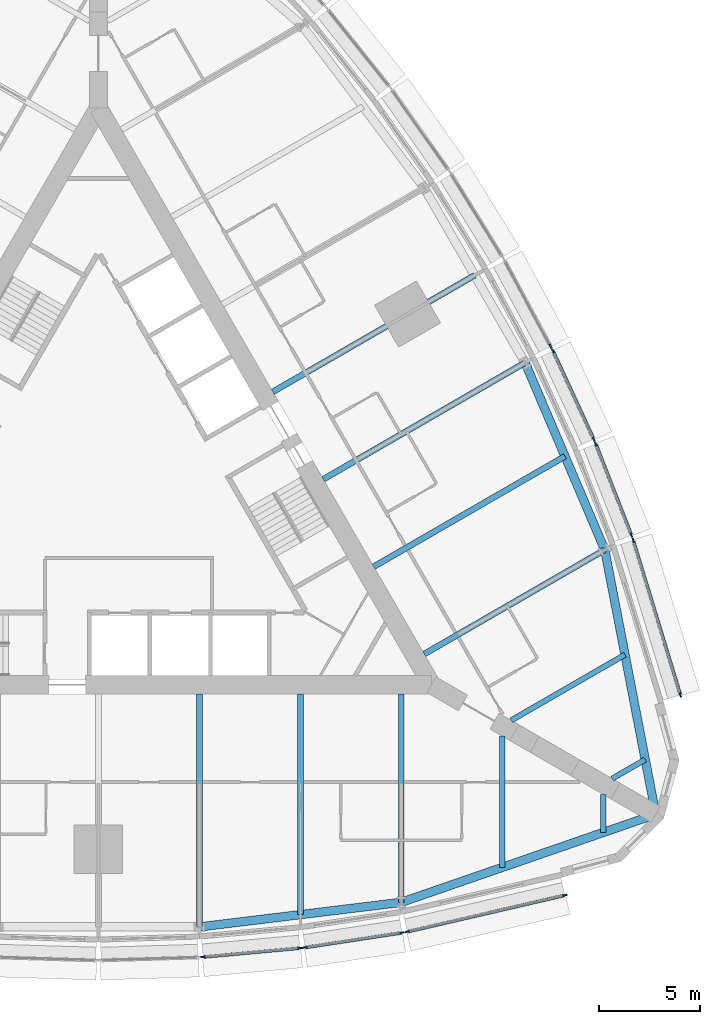
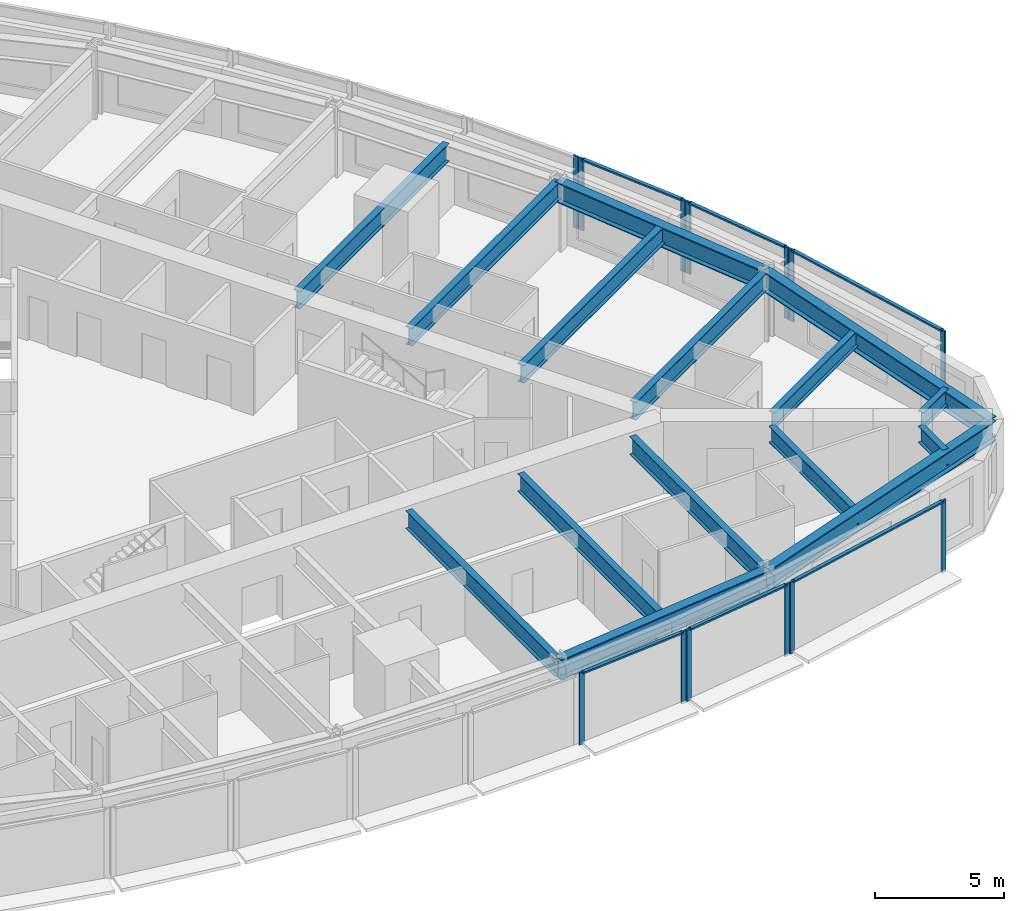
# One storey, part 3 of 14: 19 members, 15 beams, 7 elements without a shape of their own.
"""IFC4 building model written with IfcOpenShell, lengths in metres."""

from ifc_helpers import new_model, si_unit, direction, frame, origin, origin_2d, place, context, subcontext, project, spatial, rectangle, i_section, extrude, material, material_profile, profile_set, type_object, element, aggregate, save


model = new_model("IFC4")

# Units and contexts
model_context = context("Model", 3, precision=1e-05, world=origin(), true_north=direction((0.0, 1.0)))
body_context = subcontext(model_context, "Body", "Model", "MODEL_VIEW")
ifc_project = project(units=[si_unit("LENGTHUNIT", "METRE"), si_unit("AREAUNIT", "SQUARE_METRE"), si_unit("VOLUMEUNIT", "CUBIC_METRE"), si_unit("PLANEANGLEUNIT", "RADIAN"), si_unit("MASSUNIT", "GRAM", prefix="KILO")], contexts=[model_context])

# Site, building, storey
site_placement = place(None, origin())
site = spatial("IfcSite", under=ifc_project, at=site_placement, CompositionType="ELEMENT")
building_placement = place(site_placement, origin())
building = spatial("IfcBuilding", under=site, at=building_placement, Name="Trikona Tower", CompositionType="ELEMENT")
storey_placement = place(building_placement, frame((0.0, 0.0, 65.89990234375)))
storey = spatial("IfcBuildingStorey", under=building, at=storey_placement, Name="L16", CompositionType="ELEMENT", Elevation=65.89990234375)

# Curtain wall, members
ifc_material_1 = material(Name="Aluminium curtain wall system", Category="aluminium")
curtain_wall_type = type_object("IfcCurtainWallType", Name="Curtain wall DS1", PredefinedType="NOTDEFINED", material=ifc_material_1)
curtain_wall_1_placement = place(storey_placement, origin())
curtain_wall_1 = element("IfcCurtainWall", 1, at=curtain_wall_1_placement, inside=storey, type_object=curtain_wall_type, Name="Curtain wall DS1 L16", PredefinedType="NOTDEFINED")
ifc_material_2 = material(Name="Aluminium mullion, pale anodised", Category="aluminium")
ifc_material_profile_1 = material_profile(ifc_material_2, rectangle(XDim=0.080078125, YDim=0.219970703125, at=origin_2d()), Name="MUL-DS1")
ifc_profile_set_1 = profile_set([ifc_material_profile_1], Name="Aluminium mullion, pale anodised")
member_type_1 = type_object("IfcMemberType", Name="Mullion DS1 80x220", PredefinedType="MULLION", material=ifc_profile_set_1)
member_1_placement = place(storey_placement, frame((5.181396484375, -23.007568359375, 0.0), z_axis=(0.0, 0.0, 1.0), x_axis=(-0.090923932737, 0.995857840485, 0.0)))
member_1 = element("IfcMember", 2, at=member_1_placement, type_object=member_type_1, Name="CW-DS1 mullion 1", PredefinedType="MULLION", context=body_context, shape_type="SweptSolid", body=[
    extrude(rectangle(XDim=0.080078125, YDim=0.219970703125, at=origin_2d()), origin(), (0.0, 0.0, 1.0), 3.400146484375),
])
member_2_placement = place(storey_placement, frame((9.982177734375, -22.5693359375, 0.0), z_axis=(0.0, 0.0, 1.0), x_axis=(-0.090923932737, 0.995857840485, 0.0)))
member_2 = element("IfcMember", 3, at=member_2_placement, type_object=member_type_1, Name="CW-DS1 mullion 2", PredefinedType="MULLION", context=body_context, shape_type="SweptSolid", body=[
    extrude(rectangle(XDim=0.080078125, YDim=0.219970703125, at=origin_2d()), origin(), (0.0, 0.0, 1.0), 3.400146484375),
])

curtain_wall_2_placement = place(storey_placement, origin())
curtain_wall_2 = element("IfcCurtainWall", 4, at=curtain_wall_2_placement, inside=storey, type_object=curtain_wall_type, Name="Curtain wall DS1 L16", PredefinedType="NOTDEFINED")
member_3_placement = place(storey_placement, frame((10.234130859375, -22.53857421875, 0.0), z_axis=(0.0, 0.0, 1.0), x_axis=(-0.150437693845, 0.988619492156, 0.0)))
member_3 = element("IfcMember", 5, at=member_3_placement, type_object=member_type_1, Name="CW-DS1 mullion 1", PredefinedType="MULLION", context=body_context, shape_type="SweptSolid", body=[
    extrude(rectangle(XDim=0.080078125, YDim=0.219970703125, at=origin_2d()), origin(), (0.0, 0.0, 1.0), 3.400146484375),
])
member_4_placement = place(storey_placement, frame((15.03662109375, -21.807861328125, 0.0), z_axis=(0.0, 0.0, 1.0), x_axis=(-0.150437693845, 0.988619492156, 0.0)))
member_4 = element("IfcMember", 6, at=member_4_placement, type_object=member_type_1, Name="CW-DS1 mullion 2", PredefinedType="MULLION", context=body_context, shape_type="SweptSolid", body=[
    extrude(rectangle(XDim=0.080078125, YDim=0.219970703125, at=origin_2d()), origin(), (0.0, 0.0, 1.0), 3.400146484375),
])

curtain_wall_3_placement = place(storey_placement, origin())
curtain_wall_3 = element("IfcCurtainWall", 7, at=curtain_wall_3_placement, inside=storey, type_object=curtain_wall_type, Name="Curtain wall DS1 L16", PredefinedType="NOTDEFINED")
member_5_placement = place(storey_placement, frame((15.30029296875, -21.75732421875, 0.0), z_axis=(0.0, 0.0, 1.0), x_axis=(-0.225343288756, 0.974279427173, 0.0)))
member_5 = element("IfcMember", 8, at=member_5_placement, type_object=member_type_1, Name="CW-DS1 mullion 1", PredefinedType="MULLION", context=body_context, shape_type="SweptSolid", body=[
    extrude(rectangle(XDim=0.080078125, YDim=0.219970703125, at=origin_2d()), origin(), (0.0, 0.0, 1.0), 3.400146484375),
])
member_6_placement = place(storey_placement, frame((23.10546875, -19.951904296875, 0.0), z_axis=(0.0, 0.0, 1.0), x_axis=(-0.225343288756, 0.974279427173, 0.0)))
member_6 = element("IfcMember", 9, at=member_6_placement, type_object=member_type_1, Name="CW-DS1 mullion 2", PredefinedType="MULLION", context=body_context, shape_type="SweptSolid", body=[
    extrude(rectangle(XDim=0.080078125, YDim=0.219970703125, at=origin_2d()), origin(), (0.0, 0.0, 1.0), 3.400146484375),
])

curtain_wall_4_placement = place(storey_placement, origin())
curtain_wall_4 = element("IfcCurtainWall", 10, at=curtain_wall_4_placement, inside=storey, type_object=curtain_wall_type, Name="Curtain wall DS1 L16", PredefinedType="NOTDEFINED")
member_7_placement = place(storey_placement, frame((28.83154296875, -10.033935546875, 0.0), z_axis=(0.0, 0.0, 1.0), x_axis=(-0.956423115383, -0.291984287868, 0.0)))
member_7 = element("IfcMember", 11, at=member_7_placement, type_object=member_type_1, Name="CW-DS1 mullion 1", PredefinedType="MULLION", context=body_context, shape_type="SweptSolid", body=[
    extrude(rectangle(XDim=0.080078125, YDim=0.219970703125, at=origin_2d()), origin(), (0.0, 0.0, 1.0), 3.400146484375),
])
member_8_placement = place(storey_placement, frame((26.492431640625, -2.371826171875, 0.0), z_axis=(0.0, 0.0, 1.0), x_axis=(-0.956423115383, -0.291984287868, 0.0)))
member_8 = element("IfcMember", 12, at=member_8_placement, type_object=member_type_1, Name="CW-DS1 mullion 2", PredefinedType="MULLION", context=body_context, shape_type="SweptSolid", body=[
    extrude(rectangle(XDim=0.080078125, YDim=0.219970703125, at=origin_2d()), origin(), (0.0, 0.0, 1.0), 3.400146484375),
])

curtain_wall_5_placement = place(storey_placement, origin())
curtain_wall_5 = element("IfcCurtainWall", 13, at=curtain_wall_5_placement, inside=storey, type_object=curtain_wall_type, Name="Curtain wall DS1 L16", PredefinedType="NOTDEFINED")
member_9_placement = place(storey_placement, frame((26.404296875, -2.1181640625, 0.0), z_axis=(0.0, 0.0, 1.0), x_axis=(-0.931395989443, -0.36400756977, 0.0)))
member_9 = element("IfcMember", 14, at=member_9_placement, type_object=member_type_1, Name="CW-DS1 mullion 1", PredefinedType="MULLION", context=body_context, shape_type="SweptSolid", body=[
    extrude(rectangle(XDim=0.080078125, YDim=0.219970703125, at=origin_2d()), origin(), (0.0, 0.0, 1.0), 3.400146484375),
])
member_10_placement = place(storey_placement, frame((24.63623046875, 2.40625, 0.0), z_axis=(0.0, 0.0, 1.0), x_axis=(-0.931395989443, -0.36400756977, 0.0)))
member_10 = element("IfcMember", 15, at=member_10_placement, type_object=member_type_1, Name="CW-DS1 mullion 2", PredefinedType="MULLION", context=body_context, shape_type="SweptSolid", body=[
    extrude(rectangle(XDim=0.080078125, YDim=0.219970703125, at=origin_2d()), origin(), (0.0, 0.0, 1.0), 3.400146484375),
])

curtain_wall_6_placement = place(storey_placement, origin())
curtain_wall_6 = element("IfcCurtainWall", 16, at=curtain_wall_6_placement, inside=storey, type_object=curtain_wall_type, Name="Curtain wall DS1 L16", PredefinedType="NOTDEFINED")
member_11_placement = place(storey_placement, frame((24.53662109375, 2.6396484375, 0.0), z_axis=(0.0, 0.0, 1.0), x_axis=(-0.907898459992, -0.419190155352, 0.0)))
member_11 = element("IfcMember", 17, at=member_11_placement, type_object=member_type_1, Name="CW-DS1 mullion 1", PredefinedType="MULLION", context=body_context, shape_type="SweptSolid", body=[
    extrude(rectangle(XDim=0.080078125, YDim=0.219970703125, at=origin_2d()), origin(), (0.0, 0.0, 1.0), 3.400146484375),
])
member_12_placement = place(storey_placement, frame((22.515869140625, 7.0166015625, 0.0), z_axis=(0.0, 0.0, 1.0), x_axis=(-0.907898459992, -0.419190155352, 0.0)))
member_12 = element("IfcMember", 18, at=member_12_placement, type_object=member_type_1, Name="CW-DS1 mullion 2", PredefinedType="MULLION", context=body_context, shape_type="SweptSolid", body=[
    extrude(rectangle(XDim=0.080078125, YDim=0.219970703125, at=origin_2d()), origin(), (0.0, 0.0, 1.0), 3.400146484375),
])

# Curtain wall, member
curtain_wall_7_placement = place(storey_placement, origin())
curtain_wall_7 = element("IfcCurtainWall", 19, at=curtain_wall_7_placement, inside=storey, type_object=curtain_wall_type, Name="Curtain wall DS1 L16", PredefinedType="NOTDEFINED")
member_13_placement = place(storey_placement, frame((22.402099609375, 7.244140625, 0.0), z_axis=(0.0, 0.0, 1.0), x_axis=(-0.880843080975, -0.473408350896, 0.0)))
member_13 = element("IfcMember", 20, at=member_13_placement, type_object=member_type_1, Name="CW-DS1 mullion 1", PredefinedType="MULLION", context=body_context, shape_type="SweptSolid", body=[
    extrude(rectangle(XDim=0.080078125, YDim=0.219970703125, at=origin_2d()), origin(), (0.0, 0.0, 1.0), 3.400146484375),
])
aggregate(curtain_wall_7, [member_13])

# Beams
ifc_material_3 = material(Name="Steel ASTM A992 Grade 50", Category="steel")
ifc_material_profile_2 = material_profile(ifc_material_3, i_section(OverallWidth=0.2666015625, OverallDepth=0.76953125, WebThickness=0.015625, FlangeThickness=0.025390625, at=origin_2d()), Name="W30X132")
ifc_profile_set_2 = profile_set([ifc_material_profile_2], Name="Steel ASTM A992 Grade 50")
beam_type_1 = type_object("IfcBeamType", Name="Steel beam W30x132 (wedge)", PredefinedType="BEAM", material=ifc_profile_set_2)
beam_1_placement = place(storey_placement, frame((20.0, -12.066650390625, 2.850341796875), z_axis=(0.0, -1.0, 0.0), x_axis=(1.0, 0.0, 0.0)))
element("IfcBeam", 21, at=beam_1_placement, inside=storey, type_object=beam_type_1, Name="Floor beam L17 F1 u20", PredefinedType="BEAM", context=body_context, shape_type="SweptSolid", body=[
    extrude(i_section(OverallWidth=0.2666015625, OverallDepth=0.76953125, WebThickness=0.015625, FlangeThickness=0.025390625, at=origin_2d()), origin(), (0.0, 0.0, 1.0), 6.5068359375),
])
for number, where, z_axis, x_axis, name in (
    (22, (25.0, -14.953369140625, 2.850341796875), (0.0, -1.0, 0.0), (1.0, 0.0, 0.0), "Floor beam L17 F1 u25"),
    (23, (25.449951171875, -14.173828125, 2.850341796875), (0.866065156741, 0.499931139538, 0.0), (-0.499931139538, 0.866065156741, 0.0), "Floor beam L17 F2 u-25"),
):
    element("IfcBeam", number, at=place(storey_placement, frame(where, z_axis=z_axis, x_axis=x_axis)), inside=storey, type_object=beam_type_1, Name=name, PredefinedType="BEAM", context=body_context, shape_type="SweptSolid", body=[
        extrude(i_section(OverallWidth=0.2666015625, OverallDepth=0.76953125, WebThickness=0.015625, FlangeThickness=0.025390625, at=origin_2d()), origin(), (0.0, 0.0, 1.0), 1.890380859375),
    ])
beam_2_placement = place(storey_placement, frame((20.449951171875, -11.287109375, 2.850341796875), z_axis=(0.866022504693, 0.50000502134, 0.0), x_axis=(-0.50000502134, 0.866022504693, 0.0)))
element("IfcBeam", 24, at=beam_2_placement, inside=storey, type_object=beam_type_1, Name="Floor beam L17 F2 u-20", PredefinedType="BEAM", context=body_context, shape_type="SweptSolid", body=[
    extrude(i_section(OverallWidth=0.2666015625, OverallDepth=0.76953125, WebThickness=0.015625, FlangeThickness=0.025390625, at=origin_2d()), origin(), (0.0, 0.0, 1.0), 6.5068359375),
])
ifc_material_4 = material(Name="Steel ASTM A992 Grade 50", Category="steel")
ifc_material_profile_3 = material_profile(ifc_material_4, i_section(OverallWidth=0.2919921875, OverallDepth=0.845703125, WebThickness=0.015380859375, FlangeThickness=0.0244140625, at=origin_2d()), Name="W33X141")
ifc_profile_set_3 = profile_set([ifc_material_profile_3], Name="Steel ASTM A992 Grade 50")
beam_type_2 = type_object("IfcBeamType", Name="Steel beam W33x141 (radial typ)", PredefinedType="BEAM", material=ifc_profile_set_3)
beam_3_placement = place(storey_placement, frame((5.0, -9.976318359375, 2.812255859375), z_axis=(0.0, -1.0, 0.0), x_axis=(1.0, 0.0, 0.0)))
element("IfcBeam", 25, at=beam_3_placement, inside=storey, type_object=beam_type_2, Name="Floor beam L17 F1 u5", PredefinedType="BEAM", context=body_context, shape_type="SweptSolid", body=[
    extrude(i_section(OverallWidth=0.2919921875, OverallDepth=0.845703125, WebThickness=0.015380859375, FlangeThickness=0.0244140625, at=origin_2d()), origin(), (0.0, 0.0, 1.0), 11.544189453125),
])
beam_4_placement = place(storey_placement, frame((10.0, -9.976318359375, 2.812255859375), z_axis=(0.0, -1.0, 0.0), x_axis=(1.0, 0.0, 0.0)))
element("IfcBeam", 26, at=beam_4_placement, inside=storey, type_object=beam_type_2, Name="Floor beam L17 F1 u10", PredefinedType="BEAM", context=body_context, shape_type="SweptSolid", body=[
    extrude(i_section(OverallWidth=0.2919921875, OverallDepth=0.845703125, WebThickness=0.015380859375, FlangeThickness=0.0244140625, at=origin_2d()), origin(), (0.0, 0.0, 1.0), 10.935302734375),
])
beam_5_placement = place(storey_placement, frame((15.0, -9.976318359375, 2.812255859375), z_axis=(0.0, -1.0, 0.0), x_axis=(1.0, 0.0, 0.0)))
element("IfcBeam", 27, at=beam_5_placement, inside=storey, type_object=beam_type_2, Name="Floor beam L17 F1 u15", PredefinedType="BEAM", context=body_context, shape_type="SweptSolid", body=[
    extrude(i_section(OverallWidth=0.2919921875, OverallDepth=0.845703125, WebThickness=0.015380859375, FlangeThickness=0.0244140625, at=origin_2d()), origin(), (0.0, 0.0, 1.0), 10.32666015625),
])
beam_6_placement = place(storey_placement, frame((16.1396484375, -8.002197265625, 2.812255859375), z_axis=(0.866030471684, 0.499991222037, 0.0), x_axis=(-0.499991222037, 0.866030471684, 0.0)))
element("IfcBeam", 28, at=beam_6_placement, inside=storey, type_object=beam_type_2, Name="Floor beam L17 F2 u-15", PredefinedType="BEAM", context=body_context, shape_type="SweptSolid", body=[
    extrude(i_section(OverallWidth=0.2919921875, OverallDepth=0.845703125, WebThickness=0.015380859375, FlangeThickness=0.0244140625, at=origin_2d()), origin(), (0.0, 0.0, 1.0), 10.326904296875),
])
beam_7_placement = place(storey_placement, frame((13.6396484375, -3.672119140625, 2.812255859375), z_axis=(0.866025348605, 0.500000095573, 0.0), x_axis=(-0.500000095573, 0.866025348605, 0.0)))
element("IfcBeam", 29, at=beam_7_placement, inside=storey, type_object=beam_type_2, Name="Floor beam L17 F2 u-10", PredefinedType="BEAM", context=body_context, shape_type="SweptSolid", body=[
    extrude(i_section(OverallWidth=0.2919921875, OverallDepth=0.845703125, WebThickness=0.015380859375, FlangeThickness=0.0244140625, at=origin_2d()), origin(), (0.0, 0.0, 1.0), 10.935546875),
])
for number, where, z_axis, x_axis, name in (
    (30, (11.1396484375, 0.657958984375, 2.812255859375), (0.866020765707, 0.500008033299, 0.0), (-0.500008033299, 0.866020765707, 0.0), "Floor beam L17 F2 u-5"),
    (31, (8.6396484375, 4.988037109375, 2.812255859375), (0.866020765707, 0.500008033299, 0.0), (-0.500008033299, 0.866020765707, 0.0), "Floor beam L17 F2 u0"),
):
    element("IfcBeam", number, at=place(storey_placement, frame(where, z_axis=z_axis, x_axis=x_axis)), inside=storey, type_object=beam_type_2, Name=name, PredefinedType="BEAM", context=body_context, shape_type="SweptSolid", body=[
        extrude(i_section(OverallWidth=0.2919921875, OverallDepth=0.845703125, WebThickness=0.015380859375, FlangeThickness=0.0244140625, at=origin_2d()), origin(), (0.0, 0.0, 1.0), 11.544189453125),
    ])
ifc_material_5 = material(Name="Steel ASTM A992 Grade 50", Category="steel")
ifc_material_profile_4 = material_profile(ifc_material_5, i_section(OverallWidth=0.424072265625, OverallDepth=0.947509765625, WebThickness=0.02392578125, FlangeThickness=0.042724609375, at=origin_2d()), Name="W36X302")
ifc_profile_set_4 = profile_set([ifc_material_profile_4], Name="Steel ASTM A992 Grade 50")
beam_type_3 = type_object("IfcBeamType", Name="Steel beam W36x302 (spandrel)", PredefinedType="SPANDREL", material=ifc_profile_set_4)
beam_8_placement = place(storey_placement, frame((5.0, -21.5205078125, 2.761474609375), z_axis=(0.99266951126, 0.120860421207, 0.0), x_axis=(-0.120860421207, 0.99266951126, 0.0)))
element("IfcBeam", 32, at=beam_8_placement, inside=storey, type_object=beam_type_3, Name="Spandrel beam L17 F1-4", PredefinedType="SPANDREL", context=body_context, shape_type="SweptSolid", body=[
    extrude(i_section(OverallWidth=0.424072265625, OverallDepth=0.947509765625, WebThickness=0.02392578125, FlangeThickness=0.042724609375, at=origin_2d()), origin(), (0.0, 0.0, 1.0), 10.07373046875),
])
for number, where, z_axis, x_axis, name in (
    (33, (15.0, -20.302978515625, 2.761474609375), (0.945056965739, 0.326905692071, 0.0), (-0.326905692071, 0.945056965739, 0.0), "Spandrel beam L17 F1-5"),
    (34, (27.6103515625, -15.94091796875, 2.761474609375), (-0.189405184036, 0.981899015307, 0.0), (-0.981899015307, -0.189405184036, 0.0), "Spandrel beam L17 F2-1"),
):
    element("IfcBeam", number, at=place(storey_placement, frame(where, z_axis=z_axis, x_axis=x_axis)), inside=storey, type_object=beam_type_3, Name=name, PredefinedType="SPANDREL", context=body_context, shape_type="SweptSolid", body=[
        extrude(i_section(OverallWidth=0.424072265625, OverallDepth=0.947509765625, WebThickness=0.02392578125, FlangeThickness=0.042724609375, at=origin_2d()), origin(), (0.0, 0.0, 1.0), 13.343505859375),
    ])
beam_9_placement = place(storey_placement, frame((25.0830078125, -2.8388671875, 2.761474609375), z_axis=(-0.391683514847, 0.920100007715, 0.0), x_axis=(-0.920100007715, -0.391683514847, 0.0)))
element("IfcBeam", 35, at=beam_9_placement, inside=storey, type_object=beam_type_3, Name="Spandrel beam L17 F2-2", PredefinedType="SPANDREL", context=body_context, shape_type="SweptSolid", body=[
    extrude(i_section(OverallWidth=0.424072265625, OverallDepth=0.947509765625, WebThickness=0.02392578125, FlangeThickness=0.042724609375, at=origin_2d()), origin(), (0.0, 0.0, 1.0), 10.073974609375),
])

# Member
ifc_material_6 = material(Name="Aluminium transom, pale anodised", Category="aluminium")
ifc_material_profile_5 = material_profile(ifc_material_6, rectangle(XDim=0.159912109375, YDim=0.080078125, at=origin_2d()), Name="TRN-DS1")
ifc_profile_set_5 = profile_set([ifc_material_profile_5], Name="Aluminium transom, pale anodised")
member_type_2 = type_object("IfcMemberType", Name="Transom DS1 80x160", PredefinedType="USERDEFINED", material=ifc_profile_set_5)
member_14_placement = place(storey_placement, frame((5.22119140625, -23.00390625, 3.360107421875), z_axis=(0.995855977008, 0.090944340438, 0.0), x_axis=(-0.090944340438, 0.995855977008, 0.0)))
member_14 = element("IfcMember", 36, at=member_14_placement, type_object=member_type_2, Name="CW-DS1 transom 1.1", ObjectType="TRANSOM", PredefinedType="USERDEFINED", context=body_context, shape_type="SweptSolid", body=[
    extrude(rectangle(XDim=0.159912109375, YDim=0.080078125, at=origin_2d()), origin(), (0.0, 0.0, 1.0), 4.74072265625),
])

aggregate(curtain_wall_1, [member_1, member_2, member_14])

member_15_placement = place(storey_placement, frame((10.273681640625, -22.532470703125, 3.360107421875), z_axis=(0.988619663412, 0.150436568413, 0.0), x_axis=(-0.150436568413, 0.988619663412, 0.0)))
member_15 = element("IfcMember", 37, at=member_15_placement, type_object=member_type_2, Name="CW-DS1 transom 1.1", ObjectType="TRANSOM", PredefinedType="USERDEFINED", context=body_context, shape_type="SweptSolid", body=[
    extrude(rectangle(XDim=0.159912109375, YDim=0.080078125, at=origin_2d()), origin(), (0.0, 0.0, 1.0), 4.77783203125),
])

aggregate(curtain_wall_2, [member_3, member_4, member_15])

member_16_placement = place(storey_placement, frame((15.33935546875, -21.748291015625, 3.360107421875), z_axis=(0.974275371842, 0.225360821398, 0.0), x_axis=(-0.225360821398, 0.974275371842, 0.0)))
member_16 = element("IfcMember", 38, at=member_16_placement, type_object=member_type_2, Name="CW-DS1 transom 1.1", ObjectType="TRANSOM", PredefinedType="USERDEFINED", context=body_context, shape_type="SweptSolid", body=[
    extrude(rectangle(XDim=0.159912109375, YDim=0.080078125, at=origin_2d()), origin(), (0.0, 0.0, 1.0), 7.93115234375),
])

aggregate(curtain_wall_3, [member_5, member_6, member_16])

member_17_placement = place(storey_placement, frame((28.81982421875, -9.99560546875, 3.360107421875), z_axis=(-0.291967490203, 0.956428243343, 0.0), x_axis=(-0.956428243343, -0.291967490203, 0.0)))
member_17 = element("IfcMember", 39, at=member_17_placement, type_object=member_type_2, Name="CW-DS1 transom 1.1", ObjectType="TRANSOM", PredefinedType="USERDEFINED", context=body_context, shape_type="SweptSolid", body=[
    extrude(rectangle(XDim=0.159912109375, YDim=0.080078125, at=origin_2d()), origin(), (0.0, 0.0, 1.0), 7.93115234375),
])

aggregate(curtain_wall_4, [member_7, member_8, member_17])

member_18_placement = place(storey_placement, frame((26.389892578125, -2.080810546875, 3.360107421875), z_axis=(-0.364048647668, 0.931379934362, 0.0), x_axis=(-0.931379934362, -0.364048647668, 0.0)))
member_18 = element("IfcMember", 40, at=member_18_placement, type_object=member_type_2, Name="CW-DS1 transom 1.1", ObjectType="TRANSOM", PredefinedType="USERDEFINED", context=body_context, shape_type="SweptSolid", body=[
    extrude(rectangle(XDim=0.159912109375, YDim=0.080078125, at=origin_2d()), origin(), (0.0, 0.0, 1.0), 4.777587890625),
])

aggregate(curtain_wall_5, [member_9, member_10, member_18])

member_19_placement = place(storey_placement, frame((24.52001953125, 2.676025390625, 3.360107421875), z_axis=(-0.419188800665, 0.90789908547, 0.0), x_axis=(-0.90789908547, -0.419188800665, 0.0)))
member_19 = element("IfcMember", 41, at=member_19_placement, type_object=member_type_2, Name="CW-DS1 transom 1.1", ObjectType="TRANSOM", PredefinedType="USERDEFINED", context=body_context, shape_type="SweptSolid", body=[
    extrude(rectangle(XDim=0.159912109375, YDim=0.080078125, at=origin_2d()), origin(), (0.0, 0.0, 1.0), 4.74072265625),
])

aggregate(curtain_wall_6, [member_11, member_12, member_19])

save(model, "model.ifc")
